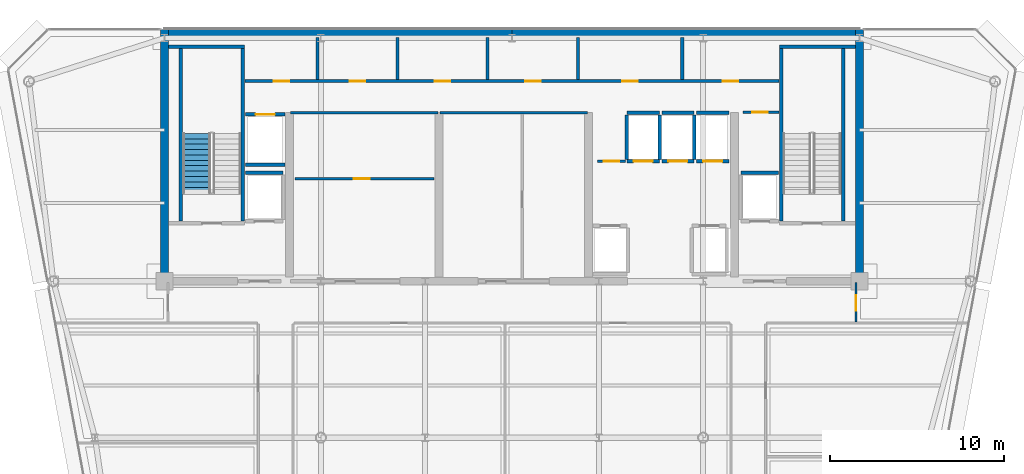
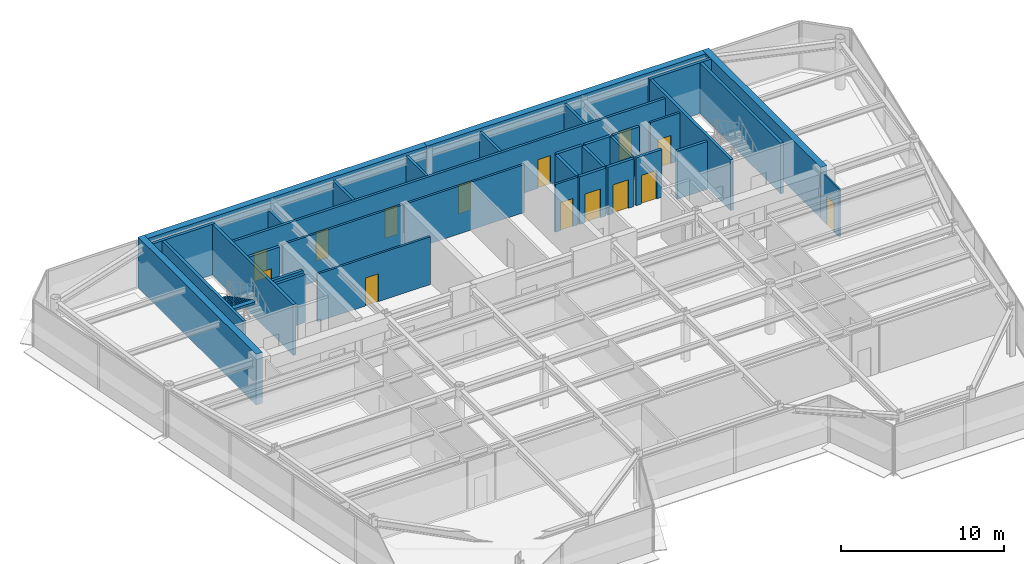
# One storey, part 11 of 19: 35 walls, 14 doors, 1 stair flight, 14 openings, 1 element without a shape of its own.
"""IFC4 building model written with IfcOpenShell, lengths in metres."""

from ifc_helpers import new_model, si_unit, direction, frame, frame_2d, origin, place, context, subcontext, project, spatial, polyline, rectangle, outline, extrude, source, transform, mapped, material, layer, layer_set, type_object, element, fill, aggregate, save


model = new_model("IFC4")

# Units and contexts
model_context = context("Model", 3, precision=1e-05, world=origin(), true_north=direction((0.0, 1.0)))
body_context = subcontext(model_context, "Body", "Model", "MODEL_VIEW")
ifc_project = project(units=[si_unit("LENGTHUNIT", "METRE"), si_unit("AREAUNIT", "SQUARE_METRE"), si_unit("VOLUMEUNIT", "CUBIC_METRE"), si_unit("PLANEANGLEUNIT", "RADIAN"), si_unit("MASSUNIT", "GRAM", prefix="KILO")], contexts=[model_context])

# Site, building, storey
site_placement = place(None, origin())
site = spatial("IfcSite", under=ifc_project, at=site_placement, CompositionType="ELEMENT")
building_placement = place(site_placement, origin())
building = spatial("IfcBuilding", under=site, at=building_placement, Name="Vaeldorn Concourse Tower", CompositionType="ELEMENT")
storey_placement = place(building_placement, frame((0.0, 0.0, 249.800048828125)))
storey = spatial("IfcBuildingStorey", under=building, at=storey_placement, Name="L64", CompositionType="ELEMENT", Elevation=249.800048828125)

# Walls
ifc_material_1 = material(Name="Concrete C50/60", Category="concrete")
ifc_layer_1 = layer(ifc_material_1, 0.449951171875)
ifc_layer_set_1 = layer_set([ifc_layer_1], Name="Concrete C50/60")
wall_type_1 = type_object("IfcWallType", Name="WL-CORE-450", PredefinedType="SHEAR", material=ifc_layer_set_1)
for number, where, z_axis, x_axis, name in (
    (1, (14.22900390625, 50.77490234375, 0.0), (0.0, 0.0, 1.0), (1.0, 0.0, 0.0), "Rear Core Shear Wall L64 N1"),
    (2, (34.001953125, 50.77490234375, 0.0), (0.0, 0.0, 1.0), (1.0, 0.0, 0.0), "Rear Core Shear Wall L64 N2"),
):
    element("IfcWall", number, at=place(storey_placement, frame(where, z_axis=z_axis, x_axis=x_axis)), inside=storey, type_object=wall_type_1, Name=name, PredefinedType="SHEAR", context=body_context, shape_type="SweptSolid", body=[
        extrude(rectangle(XDim=19.76904296875, YDim=0.449951171875, at=frame_2d((9.884521484375, 0.0))), origin(), (0.0, 0.0, 1.0), 3.800048828125),
    ])
for number, where, z_axis, x_axis, name in (
    (3, (14.0, 36.5, 0.0), (0.0, 0.0, 1.0), (0.0, 1.0, 0.0), "Rear Core Shear Wall L64 W1"),
    (4, (54.0, 36.5, 0.0), (0.0, 0.0, 1.0), (0.0, 1.0, 0.0), "Rear Core Shear Wall L64 E1"),
):
    element("IfcWall", number, at=place(storey_placement, frame(where, z_axis=z_axis, x_axis=x_axis)), inside=storey, type_object=wall_type_1, Name=name, PredefinedType="SHEAR", context=body_context, shape_type="SweptSolid", body=[
        extrude(rectangle(XDim=14.5, YDim=0.449951171875, at=frame_2d((7.25, 0.0))), origin(), (0.0, 0.0, 1.0), 3.800048828125),
    ])

# Wall, opening, door
ifc_material_2 = material(Name="Gypsum Board Partition", Category="gypsum")
ifc_layer_2 = layer(ifc_material_2, 0.1201171875)
ifc_layer_set_2 = layer_set([ifc_layer_2], Name="Gypsum Board Partition")
wall_type_2 = type_object("IfcWallType", Name="WL-PART-120", PredefinedType="PARTITIONING", material=ifc_layer_set_2)
wall_1_placement = place(storey_placement, frame((53.800048828125, 34.159912109375, 0.0), z_axis=(0.0, 0.0, 1.0), x_axis=(0.0, 1.0, 0.0)))
wall_1 = element("IfcWall", 5, at=wall_1_placement, inside=storey, type_object=wall_type_2, Name="Interior Wall PW-L64-CEET", PredefinedType="PARTITIONING", context=body_context, shape_type="SweptSolid", body=[
    extrude(rectangle(XDim=2.280029296875, YDim=0.1201171875, at=frame_2d((1.14013671875, 0.0))), origin(), (0.0, 0.0, 1.0), 3.579833984375),
])
opening_1_placement = place(wall_1_placement, frame((0.64990234375, 0.0, 0.0)))
opening_1 = element("IfcOpeningElement", 6, at=opening_1_placement, cuts=wall_1, Name="Opening D-03", PredefinedType="OPENING", context=body_context, shape_type="SweptSolid", body=[
    extrude(rectangle(XDim=0.89990234375, YDim=2.14990234375, at=frame_2d((0.449951171875, 1.074951171875))), frame((0.0, 0.070068359375, 0.0), z_axis=(0.0, -1.0, 0.0), x_axis=(1.0, 0.0, 0.0)), (0.0, 0.0, 1.0), 0.14013671875),
])
ifc_material_3 = material(Name="Acoustic Bronze-Framed Glass Door", Category="glass")
door_type_1 = type_object("IfcDoorType", Name="DR-INT-900", OperationType="NOTDEFINED", PredefinedType="DOOR", material=ifc_material_3)
shared_shape_1 = source(origin(), body_context, "Body", "SweptSolid", [
    extrude(rectangle(XDim=0.89990234375, YDim=2.14990234375, at=frame_2d((0.449951171875, 1.074951171875))), frame((0.0, 0.02490234375, 0.0), z_axis=(0.0, -1.0, 0.0), x_axis=(1.0, 0.0, 0.0)), (0.0, 0.0, 1.0), 0.050048828125),
])
door_1_placement = place(opening_1_placement, origin())
door_1 = element("IfcDoor", 7, at=door_1_placement, inside=storey, type_object=door_type_1, Name="Interior Door DR-L64-NE1", OperationType="SINGLE_SWING_RIGHT", OverallHeight=2.14990234375, OverallWidth=0.89990234375, PredefinedType="DOOR", context=body_context, shape_type="MappedRepresentation", body=[
    mapped(shared_shape_1, transform((0.0, 0.0, 0.0), scale=1.0)),
])
fill(opening_1, door_1)

# Wall
ifc_layer_3 = layer(ifc_material_2, 0.14990234375)
ifc_layer_set_3 = layer_set([ifc_layer_3], Name="Gypsum Board Partition")
wall_type_3 = type_object("IfcWallType", Name="WL-PART-150", PredefinedType="PARTITIONING", material=ifc_layer_set_3)
wall_2_placement = place(storey_placement, frame((21.25, 46.199951171875, 0.0), z_axis=(0.0, 0.0, 1.0), x_axis=(1.0, 0.0, 0.0)))
element("IfcWall", 8, at=wall_2_placement, inside=storey, type_object=wall_type_3, Name="Interior Wall CW-L64-R1N", PredefinedType="PARTITIONING", context=body_context, shape_type="SweptSolid", body=[
    extrude(rectangle(XDim=8.5, YDim=0.14990234375, at=frame_2d((4.25, 0.0))), origin(), (0.0, 0.0, 1.0), 3.579833984375),
])

# Wall, opening, door
wall_3_placement = place(storey_placement, frame((21.5, 42.39990234375, 0.0), z_axis=(0.0, 0.0, 1.0), x_axis=(1.0, 0.0, 0.0)))
wall_3 = element("IfcWall", 9, at=wall_3_placement, inside=storey, type_object=wall_type_3, Name="Interior Wall CW-L64-R1M", PredefinedType="PARTITIONING", context=body_context, shape_type="SweptSolid", body=[
    extrude(rectangle(XDim=8.0, YDim=0.14990234375, at=frame_2d((4.0, 0.0))), origin(), (0.0, 0.0, 1.0), 3.579833984375),
])
opening_2_placement = place(wall_3_placement, frame((3.39990234375, 0.0, 0.0)))
opening_2 = element("IfcOpeningElement", 10, at=opening_2_placement, cuts=wall_3, Name="Opening D-02", PredefinedType="OPENING", context=body_context, shape_type="SweptSolid", body=[
    extrude(rectangle(XDim=0.89990234375, YDim=2.10009765625, at=frame_2d((0.449951171875, 1.050048828125))), frame((0.0, 0.0849609375, 0.0), z_axis=(0.0, -1.0, 0.0), x_axis=(1.0, 0.0, 0.0)), (0.0, 0.0, 1.0), 0.169921875),
])
ifc_material_4 = material(Name="Fire-Rated Timber Leaf", Category="wood")
door_type_2 = type_object("IfcDoorType", Name="DR-FD30-900", OperationType="NOTDEFINED", PredefinedType="DOOR", material=ifc_material_4)
shared_shape_2 = source(origin(), body_context, "Body", "SweptSolid", [
    extrude(rectangle(XDim=0.89990234375, YDim=2.10009765625, at=frame_2d((0.449951171875, 1.050048828125))), frame((0.0, 0.02490234375, 0.0), z_axis=(0.0, -1.0, 0.0), x_axis=(1.0, 0.0, 0.0)), (0.0, 0.0, 1.0), 0.050048828125),
])
door_2_placement = place(opening_2_placement, origin())
door_2 = element("IfcDoor", 11, at=door_2_placement, inside=storey, type_object=door_type_2, Name="Interior Door DR-L64-R1M", OperationType="SINGLE_SWING_RIGHT", OverallHeight=2.10009765625, OverallWidth=0.89990234375, PredefinedType="DOOR", context=body_context, shape_type="MappedRepresentation", body=[
    mapped(shared_shape_2, transform((0.0, 0.0, 0.0), scale=1.0)),
])
fill(opening_2, door_2)

# Wall
wall_4_placement = place(storey_placement, frame((29.85009765625, 46.199951171875, 0.0), z_axis=(0.0, 0.0, 1.0), x_axis=(1.0, 0.0, 0.0)))
element("IfcWall", 12, at=wall_4_placement, inside=storey, type_object=wall_type_3, Name="Interior Wall CW-L64-R2N", PredefinedType="PARTITIONING", context=body_context, shape_type="SweptSolid", body=[
    extrude(rectangle(XDim=8.5, YDim=0.14990234375, at=frame_2d((4.25, 0.0))), origin(), (0.0, 0.0, 1.0), 3.579833984375),
])

# Wall, opening, door
wall_5_placement = place(storey_placement, frame((47.280029296875, 46.219970703125, 0.0), z_axis=(0.0, 0.0, 1.0), x_axis=(1.0, 0.0, 0.0)))
wall_5 = element("IfcWall", 13, at=wall_5_placement, inside=storey, type_object=wall_type_3, Name="Interior Wall CW-L64-CRSE-N", PredefinedType="PARTITIONING", context=body_context, shape_type="SweptSolid", body=[
    extrude(rectangle(XDim=2.099853515625, YDim=0.14990234375, at=frame_2d((1.0498046875, 0.0))), origin(), (0.0, 0.0, 1.0), 3.579833984375),
])
opening_3_placement = place(wall_5_placement, frame((0.550048828125, 0.0, 0.0)))
opening_3 = element("IfcOpeningElement", 14, at=opening_3_placement, cuts=wall_5, Name="Opening D-02", PredefinedType="OPENING", context=body_context, shape_type="SweptSolid", body=[
    extrude(rectangle(XDim=0.89990234375, YDim=2.10009765625, at=frame_2d((0.449951171875, 1.050048828125))), frame((0.0, 0.0849609375, 0.0), z_axis=(0.0, -1.0, 0.0), x_axis=(1.0, 0.0, 0.0)), (0.0, 0.0, 1.0), 0.169921875),
])
door_3_placement = place(opening_3_placement, origin())
door_3 = element("IfcDoor", 15, at=door_3_placement, inside=storey, type_object=door_type_2, Name="Interior Door DR-L64-CRSE", OperationType="SINGLE_SWING_RIGHT", OverallHeight=2.10009765625, OverallWidth=0.89990234375, PredefinedType="DOOR", context=body_context, shape_type="MappedRepresentation", body=[
    mapped(shared_shape_2, transform((0.0, 0.0, 0.0), scale=1.0)),
])
fill(opening_3, door_3)

wall_6_placement = place(storey_placement, frame((38.919921875, 43.39990234375, 0.0), z_axis=(0.0, 0.0, 1.0), x_axis=(1.0, 0.0, 0.0)))
wall_6 = element("IfcWall", 16, at=wall_6_placement, inside=storey, type_object=wall_type_3, Name="Interior Wall CW-L64-CCLINK", PredefinedType="PARTITIONING", context=body_context, shape_type="SweptSolid", body=[
    extrude(rectangle(XDim=1.60009765625, YDim=0.14990234375, at=frame_2d((0.800048828125, 0.0))), origin(), (0.0, 0.0, 1.0), 3.579833984375),
])
opening_4_placement = place(wall_6_placement, frame((0.35009765625, 0.0, 0.0)))
opening_4 = element("IfcOpeningElement", 17, at=opening_4_placement, cuts=wall_6, Name="Opening D-02", PredefinedType="OPENING", context=body_context, shape_type="SweptSolid", body=[
    extrude(rectangle(XDim=0.89990234375, YDim=2.10009765625, at=frame_2d((0.449951171875, 1.050048828125))), frame((0.0, 0.0849609375, 0.0), z_axis=(0.0, -1.0, 0.0), x_axis=(1.0, 0.0, 0.0)), (0.0, 0.0, 1.0), 0.169921875),
])
door_4_placement = place(opening_4_placement, origin())
door_4 = element("IfcDoor", 18, at=door_4_placement, inside=storey, type_object=door_type_2, Name="Interior Door DR-L64-CCLINK", OperationType="SINGLE_SWING_LEFT", OverallHeight=2.10009765625, OverallWidth=0.89990234375, PredefinedType="DOOR", context=body_context, shape_type="MappedRepresentation", body=[
    mapped(shared_shape_2, transform((0.0, 0.0, 0.0), scale=1.0)),
])
fill(opening_4, door_4)

# Wall, openings, doors
ifc_layer_4 = layer(ifc_material_2, 0.179931640625)
ifc_layer_set_4 = layer_set([ifc_layer_4], Name="Gypsum Board Partition")
wall_type_4 = type_object("IfcWallType", Name="WL-PLUMB-180", PredefinedType="PLUMBINGWALL", material=ifc_layer_set_4)
wall_7_placement = place(storey_placement, frame((18.6201171875, 48.02001953125, 0.0), z_axis=(0.0, 0.0, 1.0), x_axis=(1.0, 0.0, 0.0)))
wall_7 = element("IfcWall", 19, at=wall_7_placement, inside=storey, type_object=wall_type_4, Name="Interior Wall CW-L64-NS3", PredefinedType="PLUMBINGWALL", context=body_context, shape_type="SweptSolid", body=[
    extrude(rectangle(XDim=30.759765625, YDim=0.179931640625, at=frame_2d((15.3798828125, 0.0))), origin(), (0.0, 0.0, 1.0), 3.579833984375),
])
opening_5_placement = place(wall_7_placement, frame((1.655029296875, 0.0, 0.0)))
opening_5 = element("IfcOpeningElement", 20, at=opening_5_placement, cuts=wall_7, Name="Opening D-03", PredefinedType="OPENING", context=body_context, shape_type="SweptSolid", body=[
    extrude(rectangle(XDim=0.89990234375, YDim=2.14990234375, at=frame_2d((0.449951171875, 1.074951171875))), frame((0.0, 0.10009765625, 0.0), z_axis=(0.0, -1.0, 0.0), x_axis=(1.0, 0.0, 0.0)), (0.0, 0.0, 1.0), 0.199951171875),
])
opening_6_placement = place(wall_7_placement, frame((6.030029296875, 0.0, 0.0)))
opening_6 = element("IfcOpeningElement", 21, at=opening_6_placement, cuts=wall_7, Name="Opening D-03", PredefinedType="OPENING", context=body_context, shape_type="SweptSolid", body=[
    extrude(rectangle(XDim=0.89990234375, YDim=2.14990234375, at=frame_2d((0.449951171875, 1.074951171875))), frame((0.0, 0.10009765625, 0.0), z_axis=(0.0, -1.0, 0.0), x_axis=(1.0, 0.0, 0.0)), (0.0, 0.0, 1.0), 0.199951171875),
])
opening_7_placement = place(wall_7_placement, frame((10.929931640625, 0.0, 0.0)))
opening_7 = element("IfcOpeningElement", 22, at=opening_7_placement, cuts=wall_7, Name="Opening D-03", PredefinedType="OPENING", context=body_context, shape_type="SweptSolid", body=[
    extrude(rectangle(XDim=0.89990234375, YDim=2.14990234375, at=frame_2d((0.449951171875, 1.074951171875))), frame((0.0, 0.10009765625, 0.0), z_axis=(0.0, -1.0, 0.0), x_axis=(1.0, 0.0, 0.0)), (0.0, 0.0, 1.0), 0.199951171875),
])
opening_8_placement = place(wall_7_placement, frame((16.1298828125, 0.0, 0.0)))
opening_8 = element("IfcOpeningElement", 23, at=opening_8_placement, cuts=wall_7, Name="Opening D-03", PredefinedType="OPENING", context=body_context, shape_type="SweptSolid", body=[
    extrude(rectangle(XDim=0.89990234375, YDim=2.14990234375, at=frame_2d((0.449951171875, 1.074951171875))), frame((0.0, 0.10009765625, 0.0), z_axis=(0.0, -1.0, 0.0), x_axis=(1.0, 0.0, 0.0)), (0.0, 0.0, 1.0), 0.199951171875),
])
opening_9_placement = place(wall_7_placement, frame((21.72998046875, 0.0, 0.0)))
opening_9 = element("IfcOpeningElement", 24, at=opening_9_placement, cuts=wall_7, Name="Opening D-03", PredefinedType="OPENING", context=body_context, shape_type="SweptSolid", body=[
    extrude(rectangle(XDim=0.89990234375, YDim=2.14990234375, at=frame_2d((0.449951171875, 1.074951171875))), frame((0.0, 0.10009765625, 0.0), z_axis=(0.0, -1.0, 0.0), x_axis=(1.0, 0.0, 0.0)), (0.0, 0.0, 1.0), 0.199951171875),
])
opening_10_placement = place(wall_7_placement, frame((27.5048828125, 0.0, 0.0)))
opening_10 = element("IfcOpeningElement", 25, at=opening_10_placement, cuts=wall_7, Name="Opening D-03", PredefinedType="OPENING", context=body_context, shape_type="SweptSolid", body=[
    extrude(rectangle(XDim=0.89990234375, YDim=2.14990234375, at=frame_2d((0.449951171875, 1.074951171875))), frame((0.0, 0.10009765625, 0.0), z_axis=(0.0, -1.0, 0.0), x_axis=(1.0, 0.0, 0.0)), (0.0, 0.0, 1.0), 0.199951171875),
])
door_5_placement = place(opening_5_placement, origin())
door_5 = element("IfcDoor", 26, at=door_5_placement, inside=storey, type_object=door_type_1, Name="Interior Door DR-L64-CS1", OperationType="SINGLE_SWING_LEFT", OverallHeight=2.14990234375, OverallWidth=0.89990234375, PredefinedType="DOOR", context=body_context, shape_type="MappedRepresentation", body=[
    mapped(shared_shape_1, transform((0.0, 0.0, 0.0), scale=1.0)),
])
fill(opening_5, door_5)
door_6_placement = place(opening_6_placement, origin())
door_6 = element("IfcDoor", 27, at=door_6_placement, inside=storey, type_object=door_type_1, Name="Interior Door DR-L64-CS2", OperationType="SINGLE_SWING_RIGHT", OverallHeight=2.14990234375, OverallWidth=0.89990234375, PredefinedType="DOOR", context=body_context, shape_type="MappedRepresentation", body=[
    mapped(shared_shape_1, transform((0.0, 0.0, 0.0), scale=1.0)),
])
fill(opening_6, door_6)
door_7_placement = place(opening_7_placement, origin())
door_7 = element("IfcDoor", 28, at=door_7_placement, inside=storey, type_object=door_type_1, Name="Interior Door DR-L64-CS3", OperationType="SINGLE_SWING_LEFT", OverallHeight=2.14990234375, OverallWidth=0.89990234375, PredefinedType="DOOR", context=body_context, shape_type="MappedRepresentation", body=[
    mapped(shared_shape_1, transform((0.0, 0.0, 0.0), scale=1.0)),
])
fill(opening_7, door_7)
door_8_placement = place(opening_8_placement, origin())
door_8 = element("IfcDoor", 29, at=door_8_placement, inside=storey, type_object=door_type_1, Name="Interior Door DR-L64-CS4", OperationType="SINGLE_SWING_RIGHT", OverallHeight=2.14990234375, OverallWidth=0.89990234375, PredefinedType="DOOR", context=body_context, shape_type="MappedRepresentation", body=[
    mapped(shared_shape_1, transform((0.0, 0.0, 0.0), scale=1.0)),
])
fill(opening_8, door_8)
door_9_placement = place(opening_9_placement, origin())
door_9 = element("IfcDoor", 30, at=door_9_placement, inside=storey, type_object=door_type_1, Name="Interior Door DR-L64-CS5", OperationType="SINGLE_SWING_LEFT", OverallHeight=2.14990234375, OverallWidth=0.89990234375, PredefinedType="DOOR", context=body_context, shape_type="MappedRepresentation", body=[
    mapped(shared_shape_1, transform((0.0, 0.0, 0.0), scale=1.0)),
])
fill(opening_9, door_9)
door_10_placement = place(opening_10_placement, origin())
door_10 = element("IfcDoor", 31, at=door_10_placement, inside=storey, type_object=door_type_1, Name="Interior Door DR-L64-CS6", OperationType="SINGLE_SWING_RIGHT", OverallHeight=2.14990234375, OverallWidth=0.89990234375, PredefinedType="DOOR", context=body_context, shape_type="MappedRepresentation", body=[
    mapped(shared_shape_1, transform((0.0, 0.0, 0.0), scale=1.0)),
])
fill(opening_10, door_10)

# Walls
wall_8_placement = place(storey_placement, frame((22.800048828125, 48.10009765625, 0.0), z_axis=(0.0, 0.0, 1.0), x_axis=(0.0, 1.0, 0.0)))
element("IfcWall", 32, at=wall_8_placement, inside=storey, type_object=wall_type_4, Name="Interior Wall CW-L64-NDIV1", PredefinedType="PLUMBINGWALL", context=body_context, shape_type="SweptSolid", body=[
    extrude(rectangle(XDim=2.429931640625, YDim=0.179931640625, at=frame_2d((1.21484375, 0.0))), origin(), (0.0, 0.0, 1.0), 3.02001953125),
])
for number, where, z_axis, x_axis, name in (
    (33, (27.39990234375, 48.10009765625, 0.0), (0.0, 0.0, 1.0), (0.0, 1.0, 0.0), "Interior Wall CW-L64-NDIV2"),
    (34, (32.60009765625, 48.10009765625, 0.0), (0.0, 0.0, 1.0), (0.0, 1.0, 0.0), "Interior Wall CW-L64-NDIV3"),
    (35, (37.800048828125, 48.10009765625, 0.0), (0.0, 0.0, 1.0), (0.0, 1.0, 0.0), "Interior Wall CW-L64-NDIV4"),
    (36, (43.800048828125, 48.10009765625, 0.0), (0.0, 0.0, 1.0), (0.0, 1.0, 0.0), "Interior Wall CW-L64-NDIV5"),
):
    element("IfcWall", number, at=place(storey_placement, frame(where, z_axis=z_axis, x_axis=x_axis)), inside=storey, type_object=wall_type_4, Name=name, PredefinedType="PLUMBINGWALL", context=body_context, shape_type="SweptSolid", body=[
        extrude(rectangle(XDim=2.429931640625, YDim=0.179931640625, at=frame_2d((1.21484375, 0.0))), origin(), (0.0, 0.0, 1.0), 3.579833984375),
    ])
ifc_layer_5 = layer(ifc_material_1, 0.199951171875)
ifc_layer_set_5 = layer_set([ifc_layer_5], Name="Concrete C50/60")
wall_type_5 = type_object("IfcWallType", Name="WL-SHAFT-200", PredefinedType="SOLIDWALL", material=ifc_layer_set_5)
wall_9_placement = place(storey_placement, frame((14.22509765625, 50.0, 0.0), z_axis=(0.0, 0.0, 1.0), x_axis=(1.0, 0.0, 0.0)))
element("IfcWall", 37, at=wall_9_placement, inside=storey, type_object=wall_type_5, Name="Stair Shaft Wall CW-L64-ST-1-N", PredefinedType="SOLIDWALL", context=body_context, shape_type="SweptSolid", body=[
    extrude(rectangle(XDim=4.375, YDim=0.199951171875, at=frame_2d((2.1875, 0.0))), origin(), (0.0, 0.0, 1.0), 3.800048828125),
])
for number, where, z_axis, x_axis, name in (
    (38, (14.949951171875, 39.9599609375, 0.0), (0.0, 0.0, 1.0), (0.0, 1.0, 0.0), "Stair Shaft Wall CW-L64-ST-1-W"),
    (39, (18.5, 39.9599609375, 0.0), (0.0, 0.0, 1.0), (0.0, 1.0, 0.0), "Stair Shaft Wall CW-L64-ST-1-E"),
):
    element("IfcWall", number, at=place(storey_placement, frame(where, z_axis=z_axis, x_axis=x_axis)), inside=storey, type_object=wall_type_5, Name=name, PredefinedType="SOLIDWALL", context=body_context, shape_type="SweptSolid", body=[
        extrude(rectangle(XDim=9.929931640625, YDim=0.199951171875, at=frame_2d((4.96484375, 0.0))), origin(), (0.0, 0.0, 1.0), 3.800048828125),
    ])
wall_10_placement = place(storey_placement, frame((49.39990234375, 50.0, 0.0), z_axis=(0.0, 0.0, 1.0), x_axis=(1.0, 0.0, 0.0)))
element("IfcWall", 40, at=wall_10_placement, inside=storey, type_object=wall_type_5, Name="Stair Shaft Wall CW-L64-ST-2-N", PredefinedType="SOLIDWALL", context=body_context, shape_type="SweptSolid", body=[
    extrude(rectangle(XDim=4.375, YDim=0.199951171875, at=frame_2d((2.1875, 0.0))), origin(), (0.0, 0.0, 1.0), 3.800048828125),
])
for number, where, z_axis, x_axis, name in (
    (41, (49.5, 39.9599609375, 0.0), (0.0, 0.0, 1.0), (0.0, 1.0, 0.0), "Stair Shaft Wall CW-L64-ST-2-W"),
    (42, (53.050048828125, 39.9599609375, 0.0), (0.0, 0.0, 1.0), (0.0, 1.0, 0.0), "Stair Shaft Wall CW-L64-ST-2-E"),
):
    element("IfcWall", number, at=place(storey_placement, frame(where, z_axis=z_axis, x_axis=x_axis)), inside=storey, type_object=wall_type_5, Name=name, PredefinedType="SOLIDWALL", context=body_context, shape_type="SweptSolid", body=[
        extrude(rectangle(XDim=9.929931640625, YDim=0.199951171875, at=frame_2d((4.96484375, 0.0))), origin(), (0.0, 0.0, 1.0), 3.800048828125),
    ])

# Wall, opening, door
wall_11_placement = place(storey_placement, frame((40.6201171875, 43.39990234375, 0.0), z_axis=(0.0, 0.0, 1.0), x_axis=(1.0, 0.0, 0.0)))
wall_11 = element("IfcWall", 43, at=wall_11_placement, inside=storey, type_object=wall_type_5, Name="Interior Wall CW-L64-LF-LF-15", PredefinedType="SOLIDWALL", context=body_context, shape_type="SweptSolid", body=[
    extrude(rectangle(XDim=1.85986328125, YDim=0.199951171875, at=frame_2d((0.929931640625, 0.0))), origin(), (0.0, 0.0, 1.0), 3.579833984375),
])
opening_11_placement = place(wall_11_placement, frame((0.3798828125, 0.0, 0.0)))
opening_11 = element("IfcOpeningElement", 44, at=opening_11_placement, cuts=wall_11, Name="Opening LD-1", PredefinedType="OPENING", context=body_context, shape_type="SweptSolid", body=[
    extrude(rectangle(XDim=1.10009765625, YDim=2.14990234375, at=frame_2d((0.550048828125, 1.074951171875))), frame((0.0, 0.10986328125, 0.0), z_axis=(0.0, -1.0, 0.0), x_axis=(1.0, 0.0, 0.0)), (0.0, 0.0, 1.0), 0.219970703125),
])
ifc_material_5 = material(Name="Anodised Bronze Aluminium", Category="aluminium")
door_type_3 = type_object("IfcDoorType", Name="DR-LIFT-SLIDE-1100", OperationType="DOUBLE_DOOR_SLIDING", PredefinedType="DOOR", material=ifc_material_5)
shared_shape_3 = source(origin(), body_context, "Body", "SweptSolid", [
    extrude(rectangle(XDim=1.10009765625, YDim=2.14990234375, at=frame_2d((0.550048828125, 1.074951171875))), frame((0.0, 0.02490234375, 0.0), z_axis=(0.0, -1.0, 0.0), x_axis=(1.0, 0.0, 0.0)), (0.0, 0.0, 1.0), 0.050048828125),
])
door_11_placement = place(opening_11_placement, origin())
door_11 = element("IfcDoor", 45, at=door_11_placement, inside=storey, type_object=door_type_3, Name="Lift Landing Door LD-L64-LF-15", OperationType="DOUBLE_DOOR_SLIDING", OverallHeight=2.14990234375, OverallWidth=1.10009765625, PredefinedType="DOOR", context=body_context, shape_type="MappedRepresentation", body=[
    mapped(shared_shape_3, transform((0.0, 0.0, 0.0), scale=1.0)),
])
fill(opening_11, door_11)

# Walls
wall_12_placement = place(storey_placement, frame((40.6201171875, 46.199951171875, 0.0), z_axis=(0.0, 0.0, 1.0), x_axis=(1.0, 0.0, 0.0)))
element("IfcWall", 46, at=wall_12_placement, inside=storey, type_object=wall_type_5, Name="Interior Wall CW-L64-LFB-LF-15", PredefinedType="SOLIDWALL", context=body_context, shape_type="SweptSolid", body=[
    extrude(rectangle(XDim=1.85986328125, YDim=0.199951171875, at=frame_2d((0.929931640625, 0.0))), origin(), (0.0, 0.0, 1.0), 3.579833984375),
])
for number, where, z_axis, x_axis, name in (
    (47, (40.60009765625, 43.52001953125, 0.0), (0.0, 0.0, 1.0), (0.0, 1.0, 0.0), "Interior Wall CW-L64-LFW-LF-15"),
    (48, (42.5, 43.52001953125, 0.0), (0.0, 0.0, 1.0), (0.0, 1.0, 0.0), "Interior Wall CW-L64-LFE-LF-15"),
):
    element("IfcWall", number, at=place(storey_placement, frame(where, z_axis=z_axis, x_axis=x_axis)), inside=storey, type_object=wall_type_5, Name=name, PredefinedType="SOLIDWALL", context=body_context, shape_type="SweptSolid", body=[
        extrude(rectangle(XDim=2.56005859375, YDim=0.199951171875, at=frame_2d((1.280029296875, 0.0))), origin(), (0.0, 0.0, 1.0), 3.579833984375),
    ])

# Wall, opening, door
wall_13_placement = place(storey_placement, frame((42.6201171875, 43.39990234375, 0.0), z_axis=(0.0, 0.0, 1.0), x_axis=(1.0, 0.0, 0.0)))
wall_13 = element("IfcWall", 49, at=wall_13_placement, inside=storey, type_object=wall_type_5, Name="Interior Wall CW-L64-LF-LF-16", PredefinedType="SOLIDWALL", context=body_context, shape_type="SweptSolid", body=[
    extrude(rectangle(XDim=1.85986328125, YDim=0.199951171875, at=frame_2d((0.929931640625, 0.0))), origin(), (0.0, 0.0, 1.0), 3.579833984375),
])
opening_12_placement = place(wall_13_placement, frame((0.3798828125, 0.0, 0.0)))
opening_12 = element("IfcOpeningElement", 50, at=opening_12_placement, cuts=wall_13, Name="Opening LD-1", PredefinedType="OPENING", context=body_context, shape_type="SweptSolid", body=[
    extrude(rectangle(XDim=1.10009765625, YDim=2.14990234375, at=frame_2d((0.550048828125, 1.074951171875))), frame((0.0, 0.10986328125, 0.0), z_axis=(0.0, -1.0, 0.0), x_axis=(1.0, 0.0, 0.0)), (0.0, 0.0, 1.0), 0.219970703125),
])
door_12_placement = place(opening_12_placement, origin())
door_12 = element("IfcDoor", 51, at=door_12_placement, inside=storey, type_object=door_type_3, Name="Lift Landing Door LD-L64-LF-16", OperationType="DOUBLE_DOOR_SLIDING", OverallHeight=2.14990234375, OverallWidth=1.10009765625, PredefinedType="DOOR", context=body_context, shape_type="MappedRepresentation", body=[
    mapped(shared_shape_3, transform((0.0, 0.0, 0.0), scale=1.0)),
])
fill(opening_12, door_12)

# Walls
wall_14_placement = place(storey_placement, frame((42.6201171875, 46.199951171875, 0.0), z_axis=(0.0, 0.0, 1.0), x_axis=(1.0, 0.0, 0.0)))
element("IfcWall", 52, at=wall_14_placement, inside=storey, type_object=wall_type_5, Name="Interior Wall CW-L64-LFB-LF-16", PredefinedType="SOLIDWALL", context=body_context, shape_type="SweptSolid", body=[
    extrude(rectangle(XDim=1.85986328125, YDim=0.199951171875, at=frame_2d((0.929931640625, 0.0))), origin(), (0.0, 0.0, 1.0), 3.579833984375),
])
wall_15_placement = place(storey_placement, frame((44.5, 43.52001953125, 0.0), z_axis=(0.0, 0.0, 1.0), x_axis=(0.0, 1.0, 0.0)))
element("IfcWall", 53, at=wall_15_placement, inside=storey, type_object=wall_type_5, Name="Interior Wall CW-L64-LFE-LF-16", PredefinedType="SOLIDWALL", context=body_context, shape_type="SweptSolid", body=[
    extrude(rectangle(XDim=2.56005859375, YDim=0.199951171875, at=frame_2d((1.280029296875, 0.0))), origin(), (0.0, 0.0, 1.0), 3.579833984375),
])

# Wall, opening, door
wall_16_placement = place(storey_placement, frame((44.6201171875, 43.39990234375, 0.0), z_axis=(0.0, 0.0, 1.0), x_axis=(1.0, 0.0, 0.0)))
wall_16 = element("IfcWall", 54, at=wall_16_placement, inside=storey, type_object=wall_type_5, Name="Interior Wall CW-L64-LF-LF-17", PredefinedType="SOLIDWALL", context=body_context, shape_type="SweptSolid", body=[
    extrude(rectangle(XDim=1.85986328125, YDim=0.199951171875, at=frame_2d((0.929931640625, 0.0))), origin(), (0.0, 0.0, 1.0), 3.579833984375),
])
opening_13_placement = place(wall_16_placement, frame((0.3798828125, 0.0, 0.0)))
opening_13 = element("IfcOpeningElement", 55, at=opening_13_placement, cuts=wall_16, Name="Opening LD-1", PredefinedType="OPENING", context=body_context, shape_type="SweptSolid", body=[
    extrude(rectangle(XDim=1.10009765625, YDim=2.14990234375, at=frame_2d((0.550048828125, 1.074951171875))), frame((0.0, 0.10986328125, 0.0), z_axis=(0.0, -1.0, 0.0), x_axis=(1.0, 0.0, 0.0)), (0.0, 0.0, 1.0), 0.219970703125),
])
door_13_placement = place(opening_13_placement, origin())
door_13 = element("IfcDoor", 56, at=door_13_placement, inside=storey, type_object=door_type_3, Name="Lift Landing Door LD-L64-LF-17", OperationType="DOUBLE_DOOR_SLIDING", OverallHeight=2.14990234375, OverallWidth=1.10009765625, PredefinedType="DOOR", context=body_context, shape_type="MappedRepresentation", body=[
    mapped(shared_shape_3, transform((0.0, 0.0, 0.0), scale=1.0)),
])
fill(opening_13, door_13)

# Wall
wall_17_placement = place(storey_placement, frame((44.6201171875, 46.199951171875, 0.0), z_axis=(0.0, 0.0, 1.0), x_axis=(1.0, 0.0, 0.0)))
element("IfcWall", 57, at=wall_17_placement, inside=storey, type_object=wall_type_5, Name="Interior Wall CW-L64-LFB-LF-17", PredefinedType="SOLIDWALL", context=body_context, shape_type="SweptSolid", body=[
    extrude(rectangle(XDim=1.85986328125, YDim=0.199951171875, at=frame_2d((0.929931640625, 0.0))), origin(), (0.0, 0.0, 1.0), 3.579833984375),
])

# Wall, opening, door
wall_18_placement = place(storey_placement, frame((18.669921875, 46.10009765625, 0.0), z_axis=(0.0, 0.0, 1.0), x_axis=(1.0, 0.0, 0.0)))
wall_18 = element("IfcWall", 58, at=wall_18_placement, inside=storey, type_object=wall_type_5, Name="Interior Wall CW-L64-LF-LF-SV1", PredefinedType="SOLIDWALL", context=body_context, shape_type="SweptSolid", body=[
    extrude(rectangle(XDim=2.260009765625, YDim=0.199951171875, at=frame_2d((1.1298828125, 0.0))), origin(), (0.0, 0.0, 1.0), 3.579833984375),
])
opening_14_placement = place(wall_18_placement, frame((0.580078125, 0.0, 0.0)))
opening_14 = element("IfcOpeningElement", 59, at=opening_14_placement, cuts=wall_18, Name="Opening LD-1", PredefinedType="OPENING", context=body_context, shape_type="SweptSolid", body=[
    extrude(rectangle(XDim=1.10009765625, YDim=2.14990234375, at=frame_2d((0.550048828125, 1.074951171875))), frame((0.0, 0.10986328125, 0.0), z_axis=(0.0, -1.0, 0.0), x_axis=(1.0, 0.0, 0.0)), (0.0, 0.0, 1.0), 0.219970703125),
])
door_14_placement = place(opening_14_placement, origin())
door_14 = element("IfcDoor", 60, at=door_14_placement, inside=storey, type_object=door_type_3, Name="Lift Landing Door LD-L64-LF-SV1", OperationType="DOUBLE_DOOR_SLIDING", OverallHeight=2.14990234375, OverallWidth=1.10009765625, PredefinedType="DOOR", context=body_context, shape_type="MappedRepresentation", body=[
    mapped(shared_shape_3, transform((0.0, 0.0, 0.0), scale=1.0)),
])
fill(opening_14, door_14)

# Walls
wall_19_placement = place(storey_placement, frame((18.669921875, 43.199951171875, 0.0), z_axis=(0.0, 0.0, 1.0), x_axis=(1.0, 0.0, 0.0)))
element("IfcWall", 61, at=wall_19_placement, inside=storey, type_object=wall_type_5, Name="Interior Wall CW-L64-LFB-LF-SV1", PredefinedType="SOLIDWALL", context=body_context, shape_type="SweptSolid", body=[
    extrude(rectangle(XDim=2.260009765625, YDim=0.199951171875, at=frame_2d((1.1298828125, 0.0))), origin(), (0.0, 0.0, 1.0), 3.579833984375),
])
for number, where, z_axis, x_axis, name in (
    (62, (18.669921875, 42.75, 0.0), (0.0, 0.0, 1.0), (1.0, 0.0, 0.0), "Interior Wall CW-L64-LFB-LF-FF1"),
    (63, (47.169921875, 42.75, 0.0), (0.0, 0.0, 1.0), (1.0, 0.0, 0.0), "Interior Wall CW-L64-LFB-LF-FF2"),
):
    element("IfcWall", number, at=place(storey_placement, frame(where, z_axis=z_axis, x_axis=x_axis)), inside=storey, type_object=wall_type_5, Name=name, PredefinedType="SOLIDWALL", context=body_context, shape_type="SweptSolid", body=[
        extrude(rectangle(XDim=2.16015625, YDim=0.199951171875, at=frame_2d((1.080078125, 0.0))), origin(), (0.0, 0.0, 1.0), 3.579833984375),
    ])

# Stair, stair flight
ifc_material_6 = material(Name="Precast concrete C40/50", Category="concrete")
stair_type = type_object("IfcStairType", Name="STR-DOG-24x158", PredefinedType="HALF_TURN_STAIR", material=ifc_material_6)
stair_placement = place(storey_placement, origin())
stair = element("IfcStair", 64, at=stair_placement, inside=storey, type_object=stair_type, Name="L64 West Core Exit Stair ST-1", PredefinedType="HALF_TURN_STAIR")
stair_flight_type = type_object("IfcStairFlightType", Name="STF-STR-12x158", PredefinedType="STRAIGHT", material=ifc_material_6)
stair_flight_placement = place(storey_placement, frame((15.85009765625, 45.010009765625, 1.89990234375), z_axis=(0.0, 0.0, 1.0), x_axis=(0.0, -1.0, 0.0)))
stair_flight = element("IfcStairFlight", 65, at=stair_flight_placement, type_object=stair_flight_type, Name="ST-1 flight 2", NumberOfRisers=12, NumberOfTreads=11, PredefinedType="STRAIGHT", RiserHeight=0.158333333, TreadLength=0.31, context=body_context, shape_type="SweptSolid", body=[
    extrude(outline(polyline([(0.0, 0.0), (0.0, 0.158447265625), (0.31005859375, 0.158447265625), (0.31005859375, 0.316650390625), (0.6201171875, 0.316650390625), (0.6201171875, 0.47509765625), (0.929931640625, 0.47509765625), (0.929931640625, 0.63330078125), (1.239990234375, 0.63330078125), (1.239990234375, 0.791748046875), (1.550048828125, 0.791748046875), (1.550048828125, 0.949951171875), (1.860107421875, 0.949951171875), (1.860107421875, 1.1083984375), (2.169921875, 1.1083984375), (2.169921875, 1.2666015625), (2.47998046875, 1.2666015625), (2.47998046875, 1.425048828125), (2.7900390625, 1.425048828125), (2.7900390625, 1.583251953125), (3.10009765625, 1.583251953125), (3.10009765625, 1.74169921875), (3.409912109375, 1.74169921875), (3.409912109375, 1.89990234375), (3.409912109375, 1.5732421875), (0.32958984375, 0.0), (0.0, 0.0)])), frame((0.0, 0.800048828125, 0.0), z_axis=(0.0, -1.0, 0.0), x_axis=(1.0, 0.0, 0.0)), (0.0, 0.0, 1.0), 1.60009765625),
])
aggregate(stair, [stair_flight])

save(model, "model.ifc")
